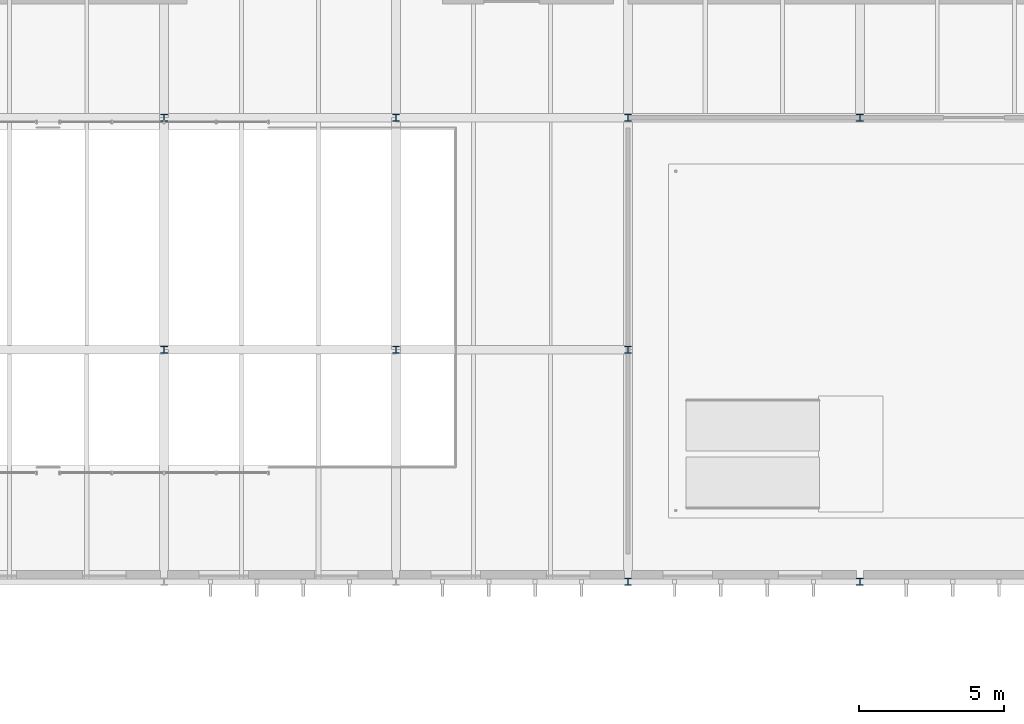
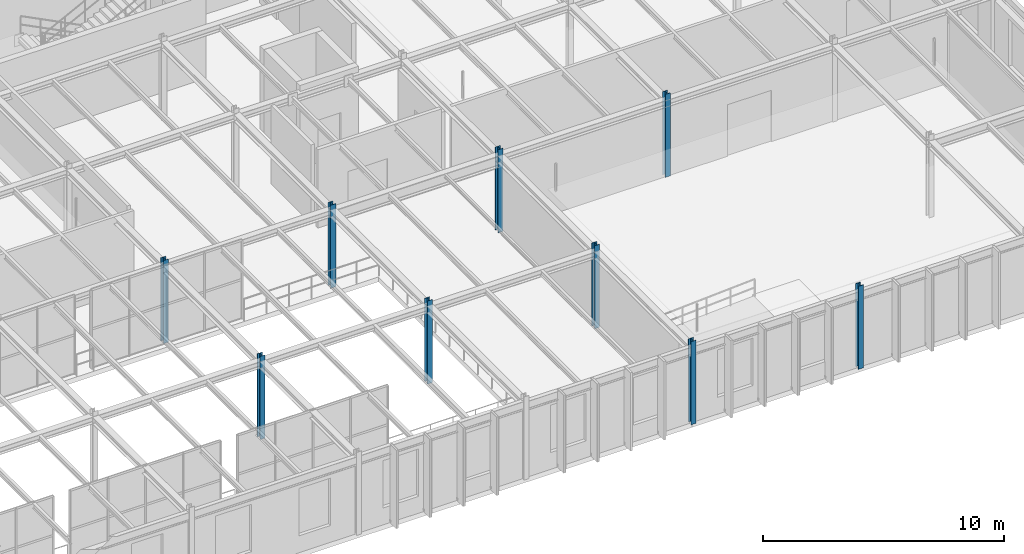
# One storey, part 7 of 124: 9 columns.
"""IFC4 building model written with IfcOpenShell, lengths in metres."""

from ifc_helpers import new_model, si_unit, direction, frame, origin, origin_2d, place, context, subcontext, project, spatial, i_section, extrude, material, material_profile, profile_set, type_object, element, save


model = new_model("IFC4")

# Units and contexts
model_context = context("Model", 3, precision=1e-05, world=origin(), true_north=direction((0.0, 1.0)))
body_context = subcontext(model_context, "Body", "Model", "MODEL_VIEW")
ifc_project = project(units=[si_unit("LENGTHUNIT", "METRE"), si_unit("AREAUNIT", "SQUARE_METRE"), si_unit("VOLUMEUNIT", "CUBIC_METRE"), si_unit("PLANEANGLEUNIT", "RADIAN"), si_unit("MASSUNIT", "GRAM", prefix="KILO")], contexts=[model_context])

# Site, building, storey
site_placement = place(None, origin())
site = spatial("IfcSite", under=ifc_project, at=site_placement, CompositionType="ELEMENT")
building_placement = place(site_placement, origin())
building = spatial("IfcBuilding", under=site, at=building_placement, Name="Sundkrona Museum", CompositionType="ELEMENT")
storey_placement = place(building_placement, frame((0.0, 0.0, 17.60009765625)))
storey = spatial("IfcBuildingStorey", under=building, at=storey_placement, Name="L03", CompositionType="ELEMENT", Elevation=17.60009765625)

# Columns
ifc_material = material(Name="Steel S355J2", Category="steel")
ifc_material_profile = material_profile(ifc_material, i_section(OverallWidth=0.239990234375, OverallDepth=0.239990234375, WebThickness=0.010009765625, FlangeThickness=0.01708984375, FilletRadius=0.02099609375, at=origin_2d()), Name="HEB 240")
ifc_profile_set = profile_set([ifc_material_profile], Name="Steel S355J2")
column_type = type_object("IfcColumnType", Name="C-HEB240", PredefinedType="COLUMN", material=ifc_profile_set)
for number, where, z_axis, x_axis, name in (
    (1, (40.0, 86.0, 0.0), (0.0, 0.0, 1.0), (1.0, 0.0, 0.0), "L03 Column M/6"),
    (2, (40.0, 94.0, 0.0), (0.0, 0.0, 1.0), (1.0, 0.0, 0.0), "L03 Column N/6"),
    (3, (48.0, 86.0, 0.0), (0.0, 0.0, 1.0), (1.0, 0.0, 0.0), "L03 Column M/7"),
    (4, (48.0, 94.0, 0.0), (0.0, 0.0, 1.0), (1.0, 0.0, 0.0), "L03 Column N/7"),
    (5, (56.0, 78.0, 0.0), (0.0, 0.0, 1.0), (1.0, 0.0, 0.0), "L03 Column L/8"),
    (6, (56.0, 86.0, 0.0), (0.0, 0.0, 1.0), (1.0, 0.0, 0.0), "L03 Column M/8"),
    (7, (56.0, 94.0, 0.0), (0.0, 0.0, 1.0), (1.0, 0.0, 0.0), "L03 Column N/8"),
    (8, (64.0, 78.0, 0.0), (0.0, 0.0, 1.0), (1.0, 0.0, 0.0), "L03 Column L/9"),
    (9, (64.0, 94.0, 0.0), (0.0, 0.0, 1.0), (1.0, 0.0, 0.0), "L03 Column N/9"),
):
    element("IfcColumn", number, at=place(storey_placement, frame(where, z_axis=z_axis, x_axis=x_axis)), inside=storey, type_object=column_type, Name=name, PredefinedType="COLUMN", context=body_context, shape_type="SweptSolid", body=[
        extrude(i_section(OverallWidth=0.239990234375, OverallDepth=0.239990234375, WebThickness=0.010009765625, FlangeThickness=0.01708984375, FilletRadius=0.02099609375, at=origin_2d()), origin(), (0.0, 0.0, 1.0), 4.199951171875),
    ])

save(model, "model.ifc")
